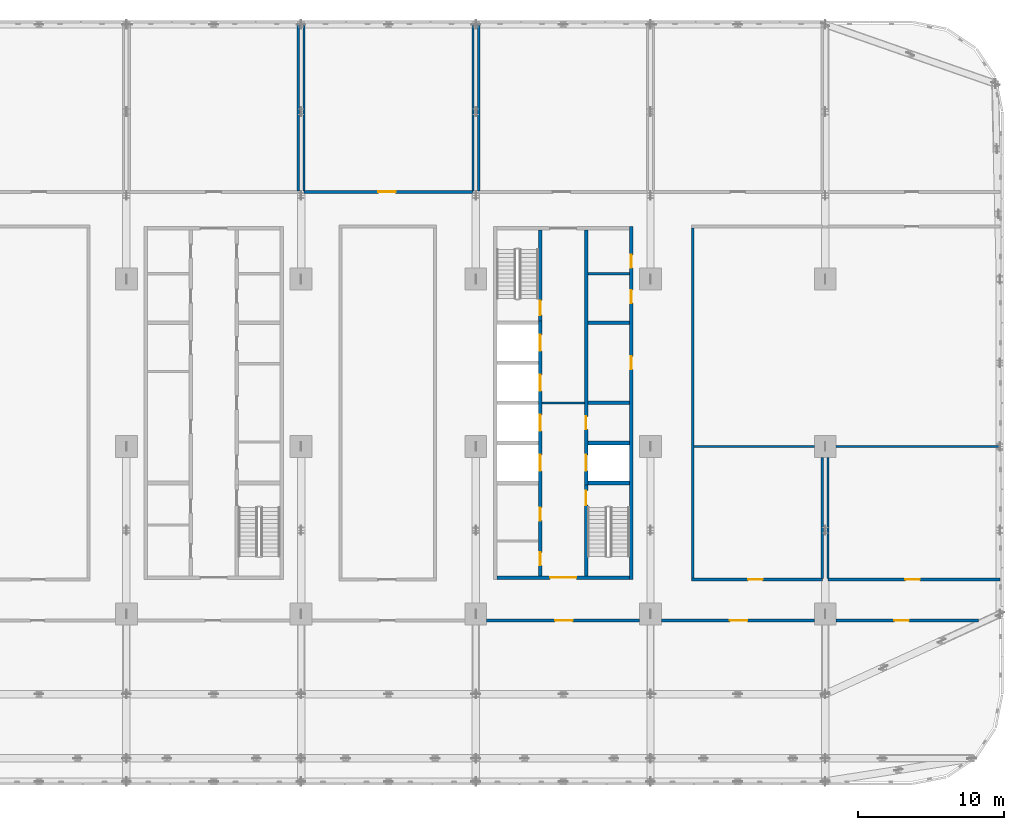
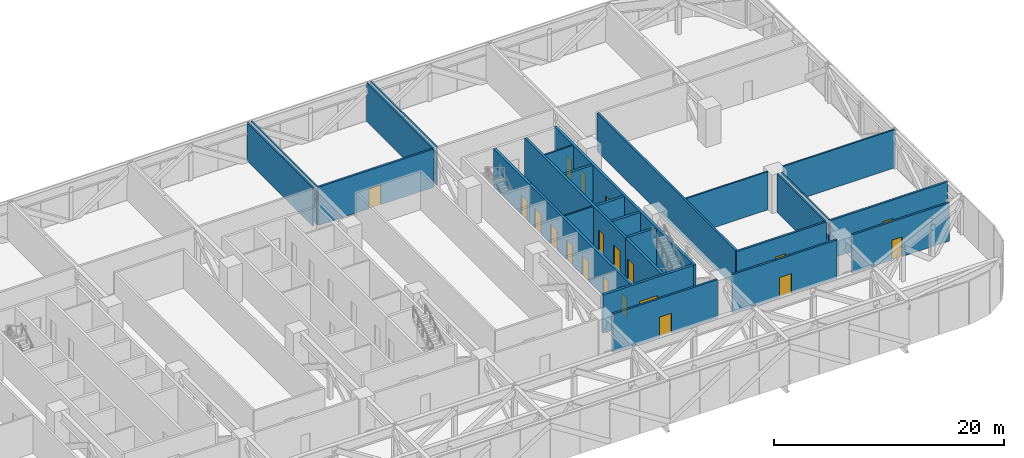
# One storey, part 12 of 26: 27 walls, 20 doors, 20 openings.
"""IFC4 building model written with IfcOpenShell, lengths in metres."""

from ifc_helpers import new_model, si_unit, direction, frame, frame_2d, origin, place, context, subcontext, project, spatial, rectangle, extrude, material, layer, layer_set, type_object, element, fill, save


model = new_model("IFC4")

# Units and contexts
model_context = context("Model", 3, precision=1e-05, world=origin(), true_north=direction((0.0, 1.0)))
body_context = subcontext(model_context, "Body", "Model", "MODEL_VIEW")
ifc_project = project(units=[si_unit("LENGTHUNIT", "METRE"), si_unit("AREAUNIT", "SQUARE_METRE"), si_unit("VOLUMEUNIT", "CUBIC_METRE"), si_unit("PLANEANGLEUNIT", "RADIAN"), si_unit("MASSUNIT", "GRAM", prefix="KILO")], contexts=[model_context])

# Site, building, storey
site_placement = place(None, origin())
site = spatial("IfcSite", under=ifc_project, at=site_placement, CompositionType="ELEMENT")
building_placement = place(site_placement, origin())
building = spatial("IfcBuilding", under=site, at=building_placement, Name="Mahtab Terrace Research Tower", CompositionType="ELEMENT")
storey_placement = place(building_placement, frame((0.0, 0.0, 80.39990234375)))
storey = spatial("IfcBuildingStorey", under=building, at=storey_placement, Name="L18", CompositionType="ELEMENT", Elevation=80.39990234375)

# Walls
ifc_material_1 = material(Name="Gypsum board partition")
ifc_layer_1 = layer(ifc_material_1, 0.14990234375)
ifc_layer_set_1 = layer_set([ifc_layer_1], Name="Core partition 150")
wall_type_1 = type_object("IfcWallType", Name="Core partition 150", PredefinedType="PARTITIONING", material=ifc_layer_set_1)
wall_1_placement = place(storey_placement, frame((22.550048828125, 3.0, 0.0), z_axis=(0.0, 0.0, 1.0), x_axis=(1.0, 0.0, 0.0)))
element("IfcWall", 1, at=wall_1_placement, inside=storey, type_object=wall_type_1, Name="Core wall C ffl", PredefinedType="PARTITIONING", context=body_context, shape_type="SweptSolid", body=[
    extrude(rectangle(XDim=2.89990234375, YDim=0.14990234375, at=frame_2d((1.449951171875, 0.0))), origin(), (0.0, 0.0, 1.0), 4.06005859375),
])
wall_2_placement = place(storey_placement, frame((25.699951171875, 11.875, 0.0), z_axis=(0.0, 0.0, 1.0), x_axis=(1.0, 0.0, 0.0)))
element("IfcWall", 2, at=wall_2_placement, inside=storey, type_object=wall_type_1, Name="Core wall C pEN888", PredefinedType="PARTITIONING", context=body_context, shape_type="SweptSolid", body=[
    extrude(rectangle(XDim=2.85009765625, YDim=0.14990234375, at=frame_2d((1.425048828125, 0.0))), origin(), (0.0, 0.0, 1.0), 4.06005859375),
])

# Wall, openings, doors
ifc_material_2 = material(Name="Concrete C70/85", Category="concrete")
ifc_layer_2 = layer(ifc_material_2, 0.25)
ifc_layer_set_2 = layer_set([ifc_layer_2], Name="Core wall 250")
wall_type_2 = type_object("IfcWallType", Name="Core wall 250", PredefinedType="SOLIDWALL", material=ifc_layer_set_2)
wall_3_placement = place(storey_placement, frame((28.675048828125, -9.125, 0.0), z_axis=(0.0, 0.0, 1.0), x_axis=(0.0, 1.0, 0.0)))
wall_3 = element("IfcWall", 3, at=wall_3_placement, inside=storey, type_object=wall_type_2, Name="Core wall C outerE", PredefinedType="SOLIDWALL", context=body_context, shape_type="SweptSolid", body=[
    extrude(rectangle(XDim=24.25, YDim=0.25, at=frame_2d((12.125, 0.0))), origin(), (0.0, 0.0, 1.0), 4.06005859375),
])
opening_1_placement = place(wall_3_placement, frame((14.425048828125, 0.0, 0.0)))
opening_1 = element("IfcOpeningElement", 4, at=opening_1_placement, cuts=wall_3, Name="Opening C-R2", PredefinedType="OPENING", context=body_context, shape_type="SweptSolid", body=[
    extrude(rectangle(XDim=0.89990234375, YDim=2.10009765625, at=frame_2d((0.449951171875, 1.050048828125))), frame((0.0, 0.135009765625, 0.0), z_axis=(0.0, -1.0, 0.0), x_axis=(1.0, 0.0, 0.0)), (0.0, 0.0, 1.0), 0.27001953125),
])
opening_2_placement = place(wall_3_placement, frame((18.97509765625, 0.0, 0.0)))
opening_2 = element("IfcOpeningElement", 5, at=opening_2_placement, cuts=wall_3, Name="Opening C-R5", PredefinedType="OPENING", context=body_context, shape_type="SweptSolid", body=[
    extrude(rectangle(XDim=0.89990234375, YDim=2.10009765625, at=frame_2d((0.449951171875, 1.050048828125))), frame((0.0, 0.135009765625, 0.0), z_axis=(0.0, -1.0, 0.0), x_axis=(1.0, 0.0, 0.0)), (0.0, 0.0, 1.0), 0.27001953125),
])
opening_3_placement = place(wall_3_placement, frame((21.395751953125, 0.0, 0.0)))
opening_3 = element("IfcOpeningElement", 6, at=opening_3_placement, cuts=wall_3, Name="Opening C-R6", PredefinedType="OPENING", context=body_context, shape_type="SweptSolid", body=[
    extrude(rectangle(XDim=0.89990234375, YDim=2.10009765625, at=frame_2d((0.449951171875, 1.050048828125))), frame((0.0, 0.135009765625, 0.0), z_axis=(0.0, -1.0, 0.0), x_axis=(1.0, 0.0, 0.0)), (0.0, 0.0, 1.0), 0.27001953125),
])
ifc_material_3 = material(Name="Steel fire door", Category="steel")
door_type_1 = type_object("IfcDoorType", Name="Room door 900x2100 1 HR", OperationType="NOTDEFINED", PredefinedType="DOOR", material=ifc_material_3)
door_1_placement = place(opening_1_placement, origin())
door_1 = element("IfcDoor", 7, at=door_1_placement, inside=storey, type_object=door_type_1, Name="Plant room door", OperationType="SINGLE_SWING_RIGHT", OverallHeight=2.10009765625, OverallWidth=0.89990234375, PredefinedType="DOOR", context=body_context, shape_type="SweptSolid", body=[
    extrude(rectangle(XDim=0.89990234375, YDim=2.10009765625, at=frame_2d((0.449951171875, 1.050048828125))), frame((0.0, 0.02490234375, 0.0), z_axis=(0.0, -1.0, 0.0), x_axis=(1.0, 0.0, 0.0)), (0.0, 0.0, 1.0), 0.050048828125),
])
fill(opening_1, door_1)
door_2_placement = place(opening_2_placement, origin())
door_2 = element("IfcDoor", 8, at=door_2_placement, inside=storey, type_object=door_type_1, Name="Housekeeping store door", OperationType="SINGLE_SWING_LEFT", OverallHeight=2.10009765625, OverallWidth=0.89990234375, PredefinedType="DOOR", context=body_context, shape_type="SweptSolid", body=[
    extrude(rectangle(XDim=0.89990234375, YDim=2.10009765625, at=frame_2d((0.449951171875, 1.050048828125))), frame((0.0, 0.02490234375, 0.0), z_axis=(0.0, -1.0, 0.0), x_axis=(1.0, 0.0, 0.0)), (0.0, 0.0, 1.0), 0.050048828125),
])
fill(opening_2, door_2)
door_3_placement = place(opening_3_placement, origin())
door_3 = element("IfcDoor", 9, at=door_3_placement, inside=storey, type_object=door_type_1, Name="Electrical riser room door", OperationType="SINGLE_SWING_RIGHT", OverallHeight=2.10009765625, OverallWidth=0.89990234375, PredefinedType="DOOR", context=body_context, shape_type="SweptSolid", body=[
    extrude(rectangle(XDim=0.89990234375, YDim=2.10009765625, at=frame_2d((0.449951171875, 1.050048828125))), frame((0.0, 0.02490234375, 0.0), z_axis=(0.0, -1.0, 0.0), x_axis=(1.0, 0.0, 0.0)), (0.0, 0.0, 1.0), 0.050048828125),
])
fill(opening_3, door_3)

# Wall, opening, door
wall_4_placement = place(storey_placement, frame((28.550048828125, -9.0, 0.0), z_axis=(0.0, 0.0, 1.0), x_axis=(-1.0, 0.0, 0.0)))
wall_4 = element("IfcWall", 10, at=wall_4_placement, inside=storey, type_object=wall_type_2, Name="Core wall C endS", PredefinedType="SOLIDWALL", context=body_context, shape_type="SweptSolid", body=[
    extrude(rectangle(XDim=9.10009765625, YDim=0.25, at=frame_2d((4.550048828125, 0.0))), origin(), (0.0, 0.0, 1.0), 4.06005859375),
])
opening_4_placement = place(wall_4_placement, frame((3.64990234375, 0.0, 0.0)))
opening_4 = element("IfcOpeningElement", 11, at=opening_4_placement, cuts=wall_4, Name="Opening C-S1", PredefinedType="OPENING", context=body_context, shape_type="SweptSolid", body=[
    extrude(rectangle(XDim=1.800048828125, YDim=2.10009765625, at=frame_2d((0.89990234375, 1.050048828125))), frame((0.0, 0.135009765625, 0.0), z_axis=(0.0, -1.0, 0.0), x_axis=(1.0, 0.0, 0.0)), (0.0, 0.0, 1.0), 0.27001953125),
])
door_type_2 = type_object("IfcDoorType", Name="Lobby double door 1800x2100 1 HR", OperationType="DOUBLE_DOOR_SINGLE_SWING", PredefinedType="DOOR", material=ifc_material_3)
door_4_placement = place(opening_4_placement, origin())
door_4 = element("IfcDoor", 12, at=door_4_placement, inside=storey, type_object=door_type_2, Name="Core entrance door C S", OperationType="DOUBLE_DOOR_SINGLE_SWING", OverallHeight=2.10009765625, OverallWidth=1.800048828125, PredefinedType="DOOR", context=body_context, shape_type="SweptSolid", body=[
    extrude(rectangle(XDim=1.800048828125, YDim=2.10009765625, at=frame_2d((0.89990234375, 1.050048828125))), frame((0.0, 0.02490234375, 0.0), z_axis=(0.0, -1.0, 0.0), x_axis=(1.0, 0.0, 0.0)), (0.0, 0.0, 1.0), 0.050048828125),
])
fill(opening_4, door_4)

# Wall, openings, doors
wall_5_placement = place(storey_placement, frame((22.425048828125, -8.875, 0.0), z_axis=(0.0, 0.0, 1.0), x_axis=(0.0, 1.0, 0.0)))
wall_5 = element("IfcWall", 13, at=wall_5_placement, inside=storey, type_object=wall_type_2, Name="Core wall C innerWSL", PredefinedType="SOLIDWALL", context=body_context, shape_type="SweptSolid", body=[
    extrude(rectangle(XDim=17.5, YDim=0.25, at=frame_2d((8.75, 0.0))), origin(), (0.0, 0.0, 1.0), 4.06005859375),
])
opening_5_placement = place(wall_5_placement, frame((7.199951171875, 0.0, 0.0)))
opening_5 = element("IfcOpeningElement", 14, at=opening_5_placement, cuts=wall_5, Name="Opening LD17-L18", PredefinedType="OPENING", context=body_context, shape_type="SweptSolid", body=[
    extrude(rectangle(XDim=1.10009765625, YDim=2.10009765625, at=frame_2d((0.550048828125, 1.050048828125))), frame((0.0, 0.135009765625, 0.0), z_axis=(0.0, -1.0, 0.0), x_axis=(1.0, 0.0, 0.0)), (0.0, 0.0, 1.0), 0.27001953125),
])
opening_6_placement = place(wall_5_placement, frame((9.949951171875, 0.0, 0.0)))
opening_6 = element("IfcOpeningElement", 15, at=opening_6_placement, cuts=wall_5, Name="Opening LD18-L18", PredefinedType="OPENING", context=body_context, shape_type="SweptSolid", body=[
    extrude(rectangle(XDim=1.10009765625, YDim=2.10009765625, at=frame_2d((0.550048828125, 1.050048828125))), frame((0.0, 0.135009765625, 0.0), z_axis=(0.0, -1.0, 0.0), x_axis=(1.0, 0.0, 0.0)), (0.0, 0.0, 1.0), 0.27001953125),
])
opening_7_placement = place(wall_5_placement, frame((12.699951171875, 0.0, 0.0)))
opening_7 = element("IfcOpeningElement", 16, at=opening_7_placement, cuts=wall_5, Name="Opening LD19-L18", PredefinedType="OPENING", context=body_context, shape_type="SweptSolid", body=[
    extrude(rectangle(XDim=1.10009765625, YDim=2.10009765625, at=frame_2d((0.550048828125, 1.050048828125))), frame((0.0, 0.135009765625, 0.0), z_axis=(0.0, -1.0, 0.0), x_axis=(1.0, 0.0, 0.0)), (0.0, 0.0, 1.0), 0.27001953125),
])
opening_8_placement = place(wall_5_placement, frame((15.449951171875, 0.0, 0.0)))
opening_8 = element("IfcOpeningElement", 17, at=opening_8_placement, cuts=wall_5, Name="Opening LD20-L18", PredefinedType="OPENING", context=body_context, shape_type="SweptSolid", body=[
    extrude(rectangle(XDim=1.10009765625, YDim=2.10009765625, at=frame_2d((0.550048828125, 1.050048828125))), frame((0.0, 0.135009765625, 0.0), z_axis=(0.0, -1.0, 0.0), x_axis=(1.0, 0.0, 0.0)), (0.0, 0.0, 1.0), 0.27001953125),
])
opening_9_placement = place(wall_5_placement, frame((0.71240234375, 0.0, 0.0)))
opening_9 = element("IfcOpeningElement", 18, at=opening_9_placement, cuts=wall_5, Name="Opening C-R3", PredefinedType="OPENING", context=body_context, shape_type="SweptSolid", body=[
    extrude(rectangle(XDim=0.89990234375, YDim=2.10009765625, at=frame_2d((0.449951171875, 1.050048828125))), frame((0.0, 0.135009765625, 0.0), z_axis=(0.0, -1.0, 0.0), x_axis=(1.0, 0.0, 0.0)), (0.0, 0.0, 1.0), 0.27001953125),
])
opening_10_placement = place(wall_5_placement, frame((3.78759765625, 0.0, 0.0)))
opening_10 = element("IfcOpeningElement", 19, at=opening_10_placement, cuts=wall_5, Name="Opening C-R4", PredefinedType="OPENING", context=body_context, shape_type="SweptSolid", body=[
    extrude(rectangle(XDim=0.89990234375, YDim=2.10009765625, at=frame_2d((0.449951171875, 1.050048828125))), frame((0.0, 0.135009765625, 0.0), z_axis=(0.0, -1.0, 0.0), x_axis=(1.0, 0.0, 0.0)), (0.0, 0.0, 1.0), 0.27001953125),
])
ifc_material_4 = material(Name="Stainless steel AISI 304", Category="steel")
door_type_3 = type_object("IfcDoorType", Name="Landing door 1100x2100", OperationType="DOUBLE_DOOR_SLIDING", PredefinedType="DOOR", material=ifc_material_4)
door_5_placement = place(opening_5_placement, origin())
door_5 = element("IfcDoor", 20, at=door_5_placement, inside=storey, type_object=door_type_3, Name="Landing door SV1 L18", OperationType="DOUBLE_DOOR_SLIDING", OverallHeight=2.10009765625, OverallWidth=1.10009765625, PredefinedType="DOOR", context=body_context, shape_type="SweptSolid", body=[
    extrude(rectangle(XDim=1.10009765625, YDim=2.10009765625, at=frame_2d((0.550048828125, 1.050048828125))), frame((0.0, 0.02490234375, 0.0), z_axis=(0.0, -1.0, 0.0), x_axis=(1.0, 0.0, 0.0)), (0.0, 0.0, 1.0), 0.050048828125),
])
fill(opening_5, door_5)
door_6_placement = place(opening_6_placement, origin())
door_6 = element("IfcDoor", 21, at=door_6_placement, inside=storey, type_object=door_type_3, Name="Landing door SV2 L18", OperationType="DOUBLE_DOOR_SLIDING", OverallHeight=2.10009765625, OverallWidth=1.10009765625, PredefinedType="DOOR", context=body_context, shape_type="SweptSolid", body=[
    extrude(rectangle(XDim=1.10009765625, YDim=2.10009765625, at=frame_2d((0.550048828125, 1.050048828125))), frame((0.0, 0.02490234375, 0.0), z_axis=(0.0, -1.0, 0.0), x_axis=(1.0, 0.0, 0.0)), (0.0, 0.0, 1.0), 0.050048828125),
])
fill(opening_6, door_6)
door_7_placement = place(opening_7_placement, origin())
door_7 = element("IfcDoor", 22, at=door_7_placement, inside=storey, type_object=door_type_3, Name="Landing door FF1 L18", OperationType="DOUBLE_DOOR_SLIDING", OverallHeight=2.10009765625, OverallWidth=1.10009765625, PredefinedType="DOOR", context=body_context, shape_type="SweptSolid", body=[
    extrude(rectangle(XDim=1.10009765625, YDim=2.10009765625, at=frame_2d((0.550048828125, 1.050048828125))), frame((0.0, 0.02490234375, 0.0), z_axis=(0.0, -1.0, 0.0), x_axis=(1.0, 0.0, 0.0)), (0.0, 0.0, 1.0), 0.050048828125),
])
fill(opening_7, door_7)
door_8_placement = place(opening_8_placement, origin())
door_8 = element("IfcDoor", 23, at=door_8_placement, inside=storey, type_object=door_type_3, Name="Landing door FF2 L18", OperationType="DOUBLE_DOOR_SLIDING", OverallHeight=2.10009765625, OverallWidth=1.10009765625, PredefinedType="DOOR", context=body_context, shape_type="SweptSolid", body=[
    extrude(rectangle(XDim=1.10009765625, YDim=2.10009765625, at=frame_2d((0.550048828125, 1.050048828125))), frame((0.0, 0.02490234375, 0.0), z_axis=(0.0, -1.0, 0.0), x_axis=(1.0, 0.0, 0.0)), (0.0, 0.0, 1.0), 0.050048828125),
])
fill(opening_8, door_8)
door_9_placement = place(opening_9_placement, origin())
door_9 = element("IfcDoor", 24, at=door_9_placement, inside=storey, type_object=door_type_1, Name="Accessible WC door", OperationType="SINGLE_SWING_LEFT", OverallHeight=2.10009765625, OverallWidth=0.89990234375, PredefinedType="DOOR", context=body_context, shape_type="SweptSolid", body=[
    extrude(rectangle(XDim=0.89990234375, YDim=2.10009765625, at=frame_2d((0.449951171875, 1.050048828125))), frame((0.0, 0.02490234375, 0.0), z_axis=(0.0, -1.0, 0.0), x_axis=(1.0, 0.0, 0.0)), (0.0, 0.0, 1.0), 0.050048828125),
])
fill(opening_9, door_9)
door_10_placement = place(opening_10_placement, origin())
door_10 = element("IfcDoor", 25, at=door_10_placement, inside=storey, type_object=door_type_1, Name="WC block door", OperationType="SINGLE_SWING_RIGHT", OverallHeight=2.10009765625, OverallWidth=0.89990234375, PredefinedType="DOOR", context=body_context, shape_type="SweptSolid", body=[
    extrude(rectangle(XDim=0.89990234375, YDim=2.10009765625, at=frame_2d((0.449951171875, 1.050048828125))), frame((0.0, 0.02490234375, 0.0), z_axis=(0.0, -1.0, 0.0), x_axis=(1.0, 0.0, 0.0)), (0.0, 0.0, 1.0), 0.050048828125),
])
fill(opening_10, door_10)

# Wall, opening, door
wall_6_placement = place(storey_placement, frame((22.425048828125, 14.875, 0.0), z_axis=(0.0, 0.0, 1.0), x_axis=(0.0, -1.0, 0.0)))
wall_6 = element("IfcWall", 26, at=wall_6_placement, inside=storey, type_object=wall_type_2, Name="Core wall C innerWN", PredefinedType="SOLIDWALL", context=body_context, shape_type="SweptSolid", body=[
    extrude(rectangle(XDim=6.25, YDim=0.25, at=frame_2d((3.125, 0.0))), origin(), (0.0, 0.0, 1.0), 4.06005859375),
])
opening_11_placement = place(wall_6_placement, frame((4.85009765625, 0.0, 0.0)))
opening_11 = element("IfcOpeningElement", 27, at=opening_11_placement, cuts=wall_6, Name="Opening C-ST3", PredefinedType="OPENING", context=body_context, shape_type="SweptSolid", body=[
    extrude(rectangle(XDim=1.0, YDim=2.10009765625, at=frame_2d((0.5, 1.050048828125))), frame((0.0, 0.135009765625, 0.0), z_axis=(0.0, -1.0, 0.0), x_axis=(1.0, 0.0, 0.0)), (0.0, 0.0, 1.0), 0.27001953125),
])
door_type_4 = type_object("IfcDoorType", Name="Stair door 1000x2100 1.5 HR", OperationType="NOTDEFINED", PredefinedType="DOOR", material=ifc_material_3)
door_11_placement = place(opening_11_placement, origin())
door_11 = element("IfcDoor", 28, at=door_11_placement, inside=storey, type_object=door_type_4, Name="Stair door ST3 L18", OperationType="SINGLE_SWING_LEFT", OverallHeight=2.10009765625, OverallWidth=1.0, PredefinedType="DOOR", context=body_context, shape_type="SweptSolid", body=[
    extrude(rectangle(XDim=1.0, YDim=2.10009765625, at=frame_2d((0.5, 1.050048828125))), frame((0.0, 0.02490234375, 0.0), z_axis=(0.0, -1.0, 0.0), x_axis=(1.0, 0.0, 0.0)), (0.0, 0.0, 1.0), 0.050048828125),
])
fill(opening_11, door_11)

wall_7_placement = place(storey_placement, frame((25.574951171875, -8.875, 0.0), z_axis=(0.0, 0.0, 1.0), x_axis=(0.0, 1.0, 0.0)))
wall_7 = element("IfcWall", 29, at=wall_7_placement, inside=storey, type_object=wall_type_2, Name="Core wall C innerES", PredefinedType="SOLIDWALL", context=body_context, shape_type="SweptSolid", body=[
    extrude(rectangle(XDim=6.25, YDim=0.25, at=frame_2d((3.125, 0.0))), origin(), (0.0, 0.0, 1.0), 4.06005859375),
])
opening_12_placement = place(wall_7_placement, frame((4.85009765625, 0.0, 0.0)))
opening_12 = element("IfcOpeningElement", 30, at=opening_12_placement, cuts=wall_7, Name="Opening C-ST4", PredefinedType="OPENING", context=body_context, shape_type="SweptSolid", body=[
    extrude(rectangle(XDim=1.0, YDim=2.10009765625, at=frame_2d((0.5, 1.050048828125))), frame((0.0, 0.135009765625, 0.0), z_axis=(0.0, -1.0, 0.0), x_axis=(1.0, 0.0, 0.0)), (0.0, 0.0, 1.0), 0.27001953125),
])
door_12_placement = place(opening_12_placement, origin())
door_12 = element("IfcDoor", 31, at=door_12_placement, inside=storey, type_object=door_type_4, Name="Stair door ST4 L18", OperationType="SINGLE_SWING_RIGHT", OverallHeight=2.10009765625, OverallWidth=1.0, PredefinedType="DOOR", context=body_context, shape_type="SweptSolid", body=[
    extrude(rectangle(XDim=1.0, YDim=2.10009765625, at=frame_2d((0.5, 1.050048828125))), frame((0.0, 0.02490234375, 0.0), z_axis=(0.0, -1.0, 0.0), x_axis=(1.0, 0.0, 0.0)), (0.0, 0.0, 1.0), 0.050048828125),
])
fill(opening_12, door_12)

# Wall, openings, doors
wall_8_placement = place(storey_placement, frame((25.574951171875, 14.875, 0.0), z_axis=(0.0, 0.0, 1.0), x_axis=(0.0, -1.0, 0.0)))
wall_8 = element("IfcWall", 32, at=wall_8_placement, inside=storey, type_object=wall_type_2, Name="Core wall C innerELN", PredefinedType="SOLIDWALL", context=body_context, shape_type="SweptSolid", body=[
    extrude(rectangle(XDim=17.5, YDim=0.25, at=frame_2d((8.75, 0.0))), origin(), (0.0, 0.0, 1.0), 4.06005859375),
])
opening_13_placement = place(wall_8_placement, frame((15.449951171875, 0.0, 0.0)))
opening_13 = element("IfcOpeningElement", 33, at=opening_13_placement, cuts=wall_8, Name="Opening LD21-L18", PredefinedType="OPENING", context=body_context, shape_type="SweptSolid", body=[
    extrude(rectangle(XDim=1.10009765625, YDim=2.10009765625, at=frame_2d((0.550048828125, 1.050048828125))), frame((0.0, 0.135009765625, 0.0), z_axis=(0.0, -1.0, 0.0), x_axis=(1.0, 0.0, 0.0)), (0.0, 0.0, 1.0), 0.27001953125),
])
opening_14_placement = place(wall_8_placement, frame((12.800048828125, 0.0, 0.0)))
opening_14 = element("IfcOpeningElement", 34, at=opening_14_placement, cuts=wall_8, Name="Opening C-R1", PredefinedType="OPENING", context=body_context, shape_type="SweptSolid", body=[
    extrude(rectangle(XDim=0.89990234375, YDim=2.10009765625, at=frame_2d((0.449951171875, 1.050048828125))), frame((0.0, 0.135009765625, 0.0), z_axis=(0.0, -1.0, 0.0), x_axis=(1.0, 0.0, 0.0)), (0.0, 0.0, 1.0), 0.27001953125),
])
door_13_placement = place(opening_13_placement, origin())
door_13 = element("IfcDoor", 35, at=door_13_placement, inside=storey, type_object=door_type_3, Name="Landing door SV3 L18", OperationType="DOUBLE_DOOR_SLIDING", OverallHeight=2.10009765625, OverallWidth=1.10009765625, PredefinedType="DOOR", context=body_context, shape_type="SweptSolid", body=[
    extrude(rectangle(XDim=1.10009765625, YDim=2.10009765625, at=frame_2d((0.550048828125, 1.050048828125))), frame((0.0, 0.02490234375, 0.0), z_axis=(0.0, -1.0, 0.0), x_axis=(1.0, 0.0, 0.0)), (0.0, 0.0, 1.0), 0.050048828125),
])
fill(opening_13, door_13)
door_14_placement = place(opening_14_placement, origin())
door_14 = element("IfcDoor", 36, at=door_14_placement, inside=storey, type_object=door_type_1, Name="Plant room door", OperationType="SINGLE_SWING_LEFT", OverallHeight=2.10009765625, OverallWidth=0.89990234375, PredefinedType="DOOR", context=body_context, shape_type="SweptSolid", body=[
    extrude(rectangle(XDim=0.89990234375, YDim=2.10009765625, at=frame_2d((0.449951171875, 1.050048828125))), frame((0.0, 0.02490234375, 0.0), z_axis=(0.0, -1.0, 0.0), x_axis=(1.0, 0.0, 0.0)), (0.0, 0.0, 1.0), 0.050048828125),
])
fill(opening_14, door_14)

# Walls
for number, where, z_axis, x_axis, name in (
    (37, (25.699951171875, -2.5, 0.0), (0.0, 0.0, 1.0), (1.0, 0.0, 0.0), "Core wall C divE0"),
    (38, (25.699951171875, 0.25, 0.0), (0.0, 0.0, 1.0), (1.0, 0.0, 0.0), "Core wall C divE1"),
    (39, (25.699951171875, 3.0, 0.0), (0.0, 0.0, 1.0), (1.0, 0.0, 0.0), "Core wall C divE2"),
    (40, (25.699951171875, 8.5, 0.0), (0.0, 0.0, 1.0), (1.0, 0.0, 0.0), "Core wall C divE4"),
):
    element("IfcWall", number, at=place(storey_placement, frame(where, z_axis=z_axis, x_axis=x_axis)), inside=storey, type_object=wall_type_2, Name=name, PredefinedType="SOLIDWALL", context=body_context, shape_type="SweptSolid", body=[
        extrude(rectangle(XDim=2.85009765625, YDim=0.25, at=frame_2d((1.425048828125, 0.0))), origin(), (0.0, 0.0, 1.0), 4.06005859375),
    ])

# Wall, opening, door
ifc_material_5 = material(Name="Gypsum board corridor wall on steel studs", Category="steel")
ifc_layer_3 = layer(ifc_material_5, 0.199951171875)
ifc_layer_set_3 = layer_set([ifc_layer_3], Name="WALL CORRIDOR 200")
wall_type_3 = type_object("IfcWallType", Name="WALL CORRIDOR 200", PredefinedType="PARTITIONING", material=ifc_layer_set_3)
wall_9_placement = place(storey_placement, frame((18.75, -11.949951171875, 0.0), z_axis=(0.0, 0.0, 1.0), x_axis=(1.0, 0.0, 0.0)))
wall_9 = element("IfcWall", 41, at=wall_9_placement, inside=storey, type_object=wall_type_3, Name="L18-W006", PredefinedType="PARTITIONING", context=body_context, shape_type="SweptSolid", body=[
    extrude(rectangle(XDim=10.5, YDim=0.199951171875, at=frame_2d((5.25, 0.0))), origin(), (0.0, 0.0, 1.0), 4.06005859375),
])
opening_15_placement = place(wall_9_placement, frame((4.699951171875, 0.0, 0.0)))
opening_15 = element("IfcOpeningElement", 42, at=opening_15_placement, cuts=wall_9, Name="Opening L18-106", PredefinedType="OPENING", context=body_context, shape_type="SweptSolid", body=[
    extrude(rectangle(XDim=1.199951171875, YDim=2.10009765625, at=frame_2d((0.60009765625, 1.050048828125))), frame((0.0, 0.10986328125, 0.0), z_axis=(0.0, -1.0, 0.0), x_axis=(1.0, 0.0, 0.0)), (0.0, 0.0, 1.0), 0.219970703125),
])
ifc_material_6 = material(Name="Timber door leaf in steel frame", Category="steel")
door_type_5 = type_object("IfcDoorType", Name="DOOR 1200X2100 FD30S", OperationType="SINGLE_SWING_LEFT", PredefinedType="DOOR", material=ifc_material_6)
door_15_placement = place(opening_15_placement, origin())
door_15 = element("IfcDoor", 43, at=door_15_placement, inside=storey, type_object=door_type_5, Name="Door L18-106", OperationType="SINGLE_SWING_LEFT", OverallHeight=2.10009765625, OverallWidth=1.199951171875, PredefinedType="DOOR", context=body_context, shape_type="SweptSolid", body=[
    extrude(rectangle(XDim=1.199951171875, YDim=2.10009765625, at=frame_2d((0.60009765625, 1.050048828125))), frame((0.0, 0.02490234375, 0.0), z_axis=(0.0, -1.0, 0.0), x_axis=(1.0, 0.0, 0.0)), (0.0, 0.0, 1.0), 0.050048828125),
])
fill(opening_15, door_15)

wall_10_placement = place(storey_placement, frame((30.75, -11.949951171875, 0.0), z_axis=(0.0, 0.0, 1.0), x_axis=(1.0, 0.0, 0.0)))
wall_10 = element("IfcWall", 44, at=wall_10_placement, inside=storey, type_object=wall_type_3, Name="L18-W007", PredefinedType="PARTITIONING", context=body_context, shape_type="SweptSolid", body=[
    extrude(rectangle(XDim=10.5, YDim=0.199951171875, at=frame_2d((5.25, 0.0))), origin(), (0.0, 0.0, 1.0), 4.06005859375),
])
opening_16_placement = place(wall_10_placement, frame((4.699951171875, 0.0, 0.0)))
opening_16 = element("IfcOpeningElement", 45, at=opening_16_placement, cuts=wall_10, Name="Opening L18-107", PredefinedType="OPENING", context=body_context, shape_type="SweptSolid", body=[
    extrude(rectangle(XDim=1.199951171875, YDim=2.10009765625, at=frame_2d((0.60009765625, 1.050048828125))), frame((0.0, 0.10986328125, 0.0), z_axis=(0.0, -1.0, 0.0), x_axis=(1.0, 0.0, 0.0)), (0.0, 0.0, 1.0), 0.219970703125),
])
door_16_placement = place(opening_16_placement, origin())
door_16 = element("IfcDoor", 46, at=door_16_placement, inside=storey, type_object=door_type_5, Name="Door L18-107", OperationType="SINGLE_SWING_LEFT", OverallHeight=2.10009765625, OverallWidth=1.199951171875, PredefinedType="DOOR", context=body_context, shape_type="SweptSolid", body=[
    extrude(rectangle(XDim=1.199951171875, YDim=2.10009765625, at=frame_2d((0.60009765625, 1.050048828125))), frame((0.0, 0.02490234375, 0.0), z_axis=(0.0, -1.0, 0.0), x_axis=(1.0, 0.0, 0.0)), (0.0, 0.0, 1.0), 0.050048828125),
])
fill(opening_16, door_16)

wall_11_placement = place(storey_placement, frame((42.75, -11.949951171875, 0.0), z_axis=(0.0, 0.0, 1.0), x_axis=(1.0, 0.0, 0.0)))
wall_11 = element("IfcWall", 47, at=wall_11_placement, inside=storey, type_object=wall_type_3, Name="L18-W008", PredefinedType="PARTITIONING", context=body_context, shape_type="SweptSolid", body=[
    extrude(rectangle(XDim=9.787841796875, YDim=0.199951171875, at=frame_2d((4.89404296875, 0.0))), origin(), (0.0, 0.0, 1.0), 4.06005859375),
])
opening_17_placement = place(wall_11_placement, frame((4.0, 0.0, 0.0)))
opening_17 = element("IfcOpeningElement", 48, at=opening_17_placement, cuts=wall_11, Name="Opening L18-108", PredefinedType="OPENING", context=body_context, shape_type="SweptSolid", body=[
    extrude(rectangle(XDim=1.0, YDim=2.10009765625, at=frame_2d((0.5, 1.050048828125))), frame((0.0, 0.10986328125, 0.0), z_axis=(0.0, -1.0, 0.0), x_axis=(1.0, 0.0, 0.0)), (0.0, 0.0, 1.0), 0.219970703125),
])
door_type_6 = type_object("IfcDoorType", Name="DOOR 1000X2100 FD30S", OperationType="SINGLE_SWING_LEFT", PredefinedType="DOOR", material=ifc_material_6)
door_17_placement = place(opening_17_placement, origin())
door_17 = element("IfcDoor", 49, at=door_17_placement, inside=storey, type_object=door_type_6, Name="Door L18-108", OperationType="SINGLE_SWING_RIGHT", OverallHeight=2.10009765625, OverallWidth=1.0, PredefinedType="DOOR", context=body_context, shape_type="SweptSolid", body=[
    extrude(rectangle(XDim=1.0, YDim=2.10009765625, at=frame_2d((0.5, 1.050048828125))), frame((0.0, 0.02490234375, 0.0), z_axis=(0.0, -1.0, 0.0), x_axis=(1.0, 0.0, 0.0)), (0.0, 0.0, 1.0), 0.050048828125),
])
fill(opening_17, door_17)

wall_12_placement = place(storey_placement, frame((32.800048828125, -9.125, 0.0), z_axis=(0.0, 0.0, 1.0), x_axis=(1.0, 0.0, 0.0)))
wall_12 = element("IfcWall", 50, at=wall_12_placement, inside=storey, type_object=wall_type_3, Name="L18-W012", PredefinedType="PARTITIONING", context=body_context, shape_type="SweptSolid", body=[
    extrude(rectangle(XDim=9.0, YDim=0.199951171875, at=frame_2d((4.5, 0.0))), origin(), (0.0, 0.0, 1.0), 4.06005859375),
])
opening_18_placement = place(wall_12_placement, frame((3.89990234375, 0.0, 0.0)))
opening_18 = element("IfcOpeningElement", 51, at=opening_18_placement, cuts=wall_12, Name="Opening L18-110", PredefinedType="OPENING", context=body_context, shape_type="SweptSolid", body=[
    extrude(rectangle(XDim=1.0, YDim=2.10009765625, at=frame_2d((0.5, 1.050048828125))), frame((0.0, 0.10986328125, 0.0), z_axis=(0.0, -1.0, 0.0), x_axis=(1.0, 0.0, 0.0)), (0.0, 0.0, 1.0), 0.219970703125),
])
door_18_placement = place(opening_18_placement, origin())
door_18 = element("IfcDoor", 52, at=door_18_placement, inside=storey, type_object=door_type_6, Name="Door L18-110", OperationType="SINGLE_SWING_LEFT", OverallHeight=2.10009765625, OverallWidth=1.0, PredefinedType="DOOR", context=body_context, shape_type="SweptSolid", body=[
    extrude(rectangle(XDim=1.0, YDim=2.10009765625, at=frame_2d((0.5, 1.050048828125))), frame((0.0, 0.02490234375, 0.0), z_axis=(0.0, -1.0, 0.0), x_axis=(1.0, 0.0, 0.0)), (0.0, 0.0, 1.0), 0.050048828125),
])
fill(opening_18, door_18)

wall_13_placement = place(storey_placement, frame((42.199951171875, -9.125, 0.0), z_axis=(0.0, 0.0, 1.0), x_axis=(1.0, 0.0, 0.0)))
wall_13 = element("IfcWall", 53, at=wall_13_placement, inside=storey, type_object=wall_type_3, Name="L18-W013", PredefinedType="PARTITIONING", context=body_context, shape_type="SweptSolid", body=[
    extrude(rectangle(XDim=11.800048828125, YDim=0.199951171875, at=frame_2d((5.89990234375, 0.0))), origin(), (0.0, 0.0, 1.0), 4.06005859375),
])
opening_19_placement = place(wall_13_placement, frame((5.300048828125, 0.0, 0.0)))
opening_19 = element("IfcOpeningElement", 54, at=opening_19_placement, cuts=wall_13, Name="Opening L18-111", PredefinedType="OPENING", context=body_context, shape_type="SweptSolid", body=[
    extrude(rectangle(XDim=1.0, YDim=2.10009765625, at=frame_2d((0.5, 1.050048828125))), frame((0.0, 0.10986328125, 0.0), z_axis=(0.0, -1.0, 0.0), x_axis=(1.0, 0.0, 0.0)), (0.0, 0.0, 1.0), 0.219970703125),
])
door_19_placement = place(opening_19_placement, origin())
door_19 = element("IfcDoor", 55, at=door_19_placement, inside=storey, type_object=door_type_6, Name="Door L18-111", OperationType="SINGLE_SWING_LEFT", OverallHeight=2.10009765625, OverallWidth=1.0, PredefinedType="DOOR", context=body_context, shape_type="SweptSolid", body=[
    extrude(rectangle(XDim=1.0, YDim=2.10009765625, at=frame_2d((0.5, 1.050048828125))), frame((0.0, 0.02490234375, 0.0), z_axis=(0.0, -1.0, 0.0), x_axis=(1.0, 0.0, 0.0)), (0.0, 0.0, 1.0), 0.050048828125),
])
fill(opening_19, door_19)

wall_14_placement = place(storey_placement, frame((6.199951171875, 17.5, 0.0), z_axis=(0.0, 0.0, 1.0), x_axis=(1.0, 0.0, 0.0)))
wall_14 = element("IfcWall", 56, at=wall_14_placement, inside=storey, type_object=wall_type_3, Name="L18-W028", PredefinedType="PARTITIONING", context=body_context, shape_type="SweptSolid", body=[
    extrude(rectangle(XDim=11.60009765625, YDim=0.199951171875, at=frame_2d((5.800048828125, 0.0))), origin(), (0.0, 0.0, 1.0), 4.06005859375),
])
opening_20_placement = place(wall_14_placement, frame((5.10009765625, 0.0, 0.0)))
opening_20 = element("IfcOpeningElement", 57, at=opening_20_placement, cuts=wall_14, Name="Opening L18-121", PredefinedType="OPENING", context=body_context, shape_type="SweptSolid", body=[
    extrude(rectangle(XDim=1.199951171875, YDim=2.10009765625, at=frame_2d((0.60009765625, 1.050048828125))), frame((0.0, 0.10986328125, 0.0), z_axis=(0.0, -1.0, 0.0), x_axis=(1.0, 0.0, 0.0)), (0.0, 0.0, 1.0), 0.219970703125),
])
door_20_placement = place(opening_20_placement, origin())
door_20 = element("IfcDoor", 58, at=door_20_placement, inside=storey, type_object=door_type_5, Name="Door L18-121", OperationType="SINGLE_SWING_LEFT", OverallHeight=2.10009765625, OverallWidth=1.199951171875, PredefinedType="DOOR", context=body_context, shape_type="SweptSolid", body=[
    extrude(rectangle(XDim=1.199951171875, YDim=2.10009765625, at=frame_2d((0.60009765625, 1.050048828125))), frame((0.0, 0.02490234375, 0.0), z_axis=(0.0, -1.0, 0.0), x_axis=(1.0, 0.0, 0.0)), (0.0, 0.0, 1.0), 0.050048828125),
])
fill(opening_20, door_20)

# Walls
wall_15_placement = place(storey_placement, frame((32.89990234375, -9.02490234375, 0.0), z_axis=(0.0, 0.0, 1.0), x_axis=(0.0, 1.0, 0.0)))
element("IfcWall", 59, at=wall_15_placement, inside=storey, type_object=wall_type_3, Name="L18-W048", PredefinedType="PARTITIONING", context=body_context, shape_type="SweptSolid", body=[
    extrude(rectangle(XDim=24.0498046875, YDim=0.199951171875, at=frame_2d((12.02490234375, 0.0))), origin(), (0.0, 0.0, 1.0), 4.06005859375),
])
ifc_material_7 = material(Name="Gypsum board partition on steel studs", Category="steel")
ifc_layer_4 = layer(ifc_material_7, 0.14990234375)
ifc_layer_set_4 = layer_set([ifc_layer_4], Name="WALL PARTITION 150")
wall_type_4 = type_object("IfcWallType", Name="WALL PARTITION 150", PredefinedType="PARTITIONING", material=ifc_layer_set_4)
wall_16_placement = place(storey_placement, frame((33.0, 0.0, 0.0), z_axis=(0.0, 0.0, 1.0), x_axis=(1.0, 0.0, 0.0)))
element("IfcWall", 60, at=wall_16_placement, inside=storey, type_object=wall_type_4, Name="L18-W015", PredefinedType="PARTITIONING", context=body_context, shape_type="SweptSolid", body=[
    extrude(rectangle(XDim=8.25, YDim=0.14990234375, at=frame_2d((4.125, 0.0))), origin(), (0.0, 0.0, 1.0), 4.06005859375),
])
wall_17_placement = place(storey_placement, frame((42.75, 0.0, 0.0), z_axis=(0.0, 0.0, 1.0), x_axis=(1.0, 0.0, 0.0)))
element("IfcWall", 61, at=wall_17_placement, inside=storey, type_object=wall_type_4, Name="L18-W016", PredefinedType="PARTITIONING", context=body_context, shape_type="SweptSolid", body=[
    extrude(rectangle(XDim=11.25, YDim=0.14990234375, at=frame_2d((5.625, 0.0))), origin(), (0.0, 0.0, 1.0), 4.06005859375),
])
for number, where, z_axis, x_axis, name in (
    (62, (5.800048828125, 17.550048828125, 0.0), (0.0, 0.0, 1.0), (0.0, 1.0, 0.0), "L18-W040"),
    (63, (6.199951171875, 17.550048828125, 0.0), (0.0, 0.0, 1.0), (0.0, 1.0, 0.0), "L18-W041"),
    (64, (17.800048828125, 17.550048828125, 0.0), (0.0, 0.0, 1.0), (0.0, 1.0, 0.0), "L18-W044"),
    (65, (18.199951171875, 17.550048828125, 0.0), (0.0, 0.0, 1.0), (0.0, 1.0, 0.0), "L18-W045"),
):
    element("IfcWall", number, at=place(storey_placement, frame(where, z_axis=z_axis, x_axis=x_axis)), inside=storey, type_object=wall_type_4, Name=name, PredefinedType="PARTITIONING", context=body_context, shape_type="SweptSolid", body=[
        extrude(rectangle(XDim=11.449951171875, YDim=0.14990234375, at=frame_2d((5.72509765625, 0.0))), origin(), (0.0, 0.0, 1.0), 4.06005859375),
    ])
for number, where, z_axis, x_axis, name in (
    (66, (41.800048828125, -9.074951171875, 0.0), (0.0, 0.0, 1.0), (0.0, 1.0, 0.0), "L18-W049"),
    (67, (42.199951171875, -9.074951171875, 0.0), (0.0, 0.0, 1.0), (0.0, 1.0, 0.0), "L18-W051"),
):
    element("IfcWall", number, at=place(storey_placement, frame(where, z_axis=z_axis, x_axis=x_axis)), inside=storey, type_object=wall_type_4, Name=name, PredefinedType="PARTITIONING", context=body_context, shape_type="SweptSolid", body=[
        extrude(rectangle(XDim=8.324951171875, YDim=0.14990234375, at=frame_2d((4.16259765625, 0.0))), origin(), (0.0, 0.0, 1.0), 4.06005859375),
    ])

save(model, "model.ifc")
